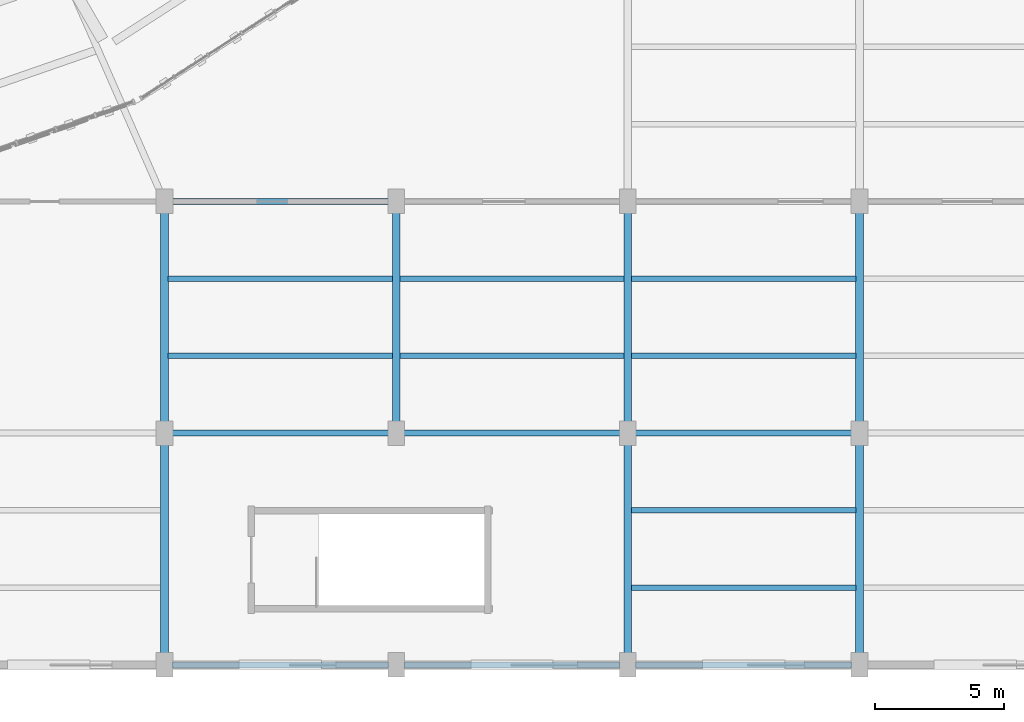
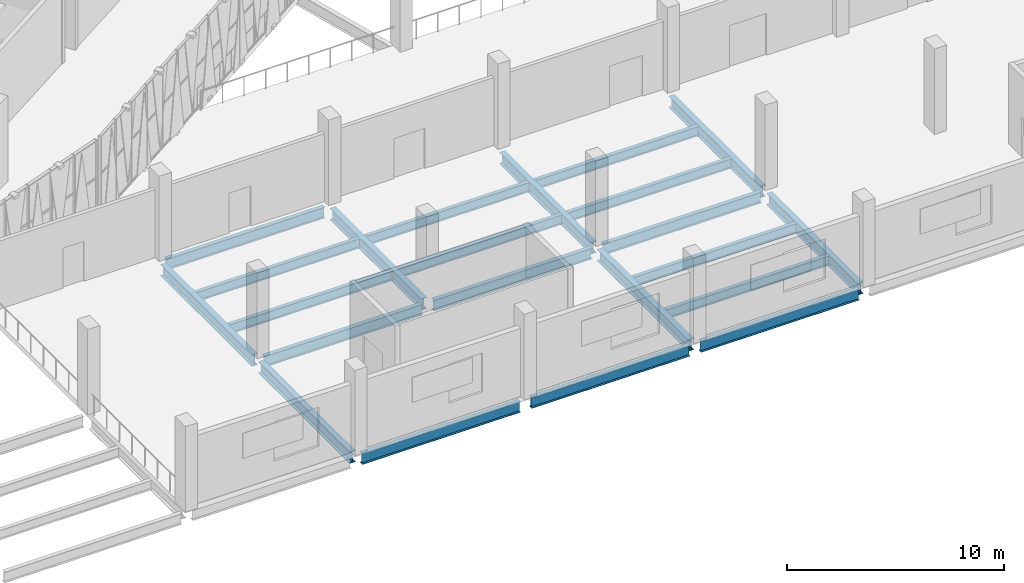
# One storey, part 27 of 152: 22 beams.
"""IFC4 building model written with IfcOpenShell, lengths in metres."""

from ifc_helpers import new_model, si_unit, direction, frame, origin, origin_2d, place, context, subcontext, project, spatial, i_section, extrude, material, material_profile, profile_set, type_object, element, save


model = new_model("IFC4")

# Units and contexts
model_context = context("Model", 3, precision=1e-05, world=origin(), true_north=direction((0.0, 1.0)))
body_context = subcontext(model_context, "Body", "Model", "MODEL_VIEW")
ifc_project = project(units=[si_unit("LENGTHUNIT", "METRE"), si_unit("AREAUNIT", "SQUARE_METRE"), si_unit("VOLUMEUNIT", "CUBIC_METRE"), si_unit("PLANEANGLEUNIT", "RADIAN"), si_unit("MASSUNIT", "GRAM", prefix="KILO")], contexts=[model_context])

# Site, building, storey
site_placement = place(None, origin())
site = spatial("IfcSite", under=ifc_project, at=site_placement, CompositionType="ELEMENT")
building_placement = place(site_placement, origin())
building = spatial("IfcBuilding", under=site, at=building_placement, Name="Zevraka Park Crest Stadium", CompositionType="ELEMENT")
storey_placement = place(building_placement, frame((0.0, 0.0, 15.0)))
storey = spatial("IfcBuildingStorey", under=building, at=storey_placement, Name="L03", CompositionType="ELEMENT", Elevation=15.0)

# Beams
ifc_material_1 = material(Name="Steel S355", Category="steel")
ifc_material_profile_1 = material_profile(ifc_material_1, i_section(OverallWidth=0.300048828125, OverallDepth=0.64990234375, WebThickness=0.01611328125, FlangeThickness=0.031005859375, at=origin_2d()), Name="HEB 650")
ifc_profile_set_1 = profile_set([ifc_material_profile_1], Name="Steel S355")
beam_type_1 = type_object("IfcBeamType", Name="BG07", PredefinedType="BEAM", material=ifc_profile_set_1)
for number, where, z_axis, x_axis, name in (
    (1, (161.0, 0.300048828125, -0.633056640625), (0.0, 1.0, 0.0), (-1.0, 0.0, 0.0), "Wing Girder BG07 L03-18/AB"),
    (2, (161.0, 9.300048828125, -0.633056640625), (0.0, 1.0, 0.0), (-1.0, 0.0, 0.0), "Wing Girder BG07 L03-18/BC"),
    (3, (170.0, 9.300048828125, -0.633056640625), (0.0, 1.0, 0.0), (-1.0, 0.0, 0.0), "Wing Girder BG07 L03-19/BC"),
    (4, (179.0, 0.300048828125, -0.633056640625), (0.0, 1.0, 0.0), (-1.0, 0.0, 0.0), "Wing Girder BG07 L03-20/AB"),
    (5, (179.0, 9.300048828125, -0.633056640625), (0.0, 1.0, 0.0), (-1.0, 0.0, 0.0), "Wing Girder BG07 L03-20/BC"),
    (6, (188.0, 0.300048828125, -0.633056640625), (0.0, 1.0, 0.0), (-1.0, 0.0, 0.0), "Wing Girder BG07 L03-21/AB"),
    (7, (188.0, 9.300048828125, -0.633056640625), (0.0, 1.0, 0.0), (-1.0, 0.0, 0.0), "Wing Girder BG07 L03-21/BC"),
):
    element("IfcBeam", number, at=place(storey_placement, frame(where, z_axis=z_axis, x_axis=x_axis)), inside=storey, type_object=beam_type_1, Name=name, PredefinedType="BEAM", context=body_context, shape_type="SweptSolid", body=[
        extrude(i_section(OverallWidth=0.300048828125, OverallDepth=0.64990234375, WebThickness=0.01611328125, FlangeThickness=0.031005859375, at=origin_2d()), origin(), (0.0, 0.0, 1.0), 8.39990234375),
    ])
ifc_material_2 = material(Name="Steel S355", Category="steel")
ifc_material_profile_2 = material_profile(ifc_material_2, i_section(OverallWidth=0.22900390625, OverallDepth=0.612060546875, WebThickness=0.011962890625, FlangeThickness=0.01953125, at=origin_2d()), Name="UKB 610x229x125")
ifc_profile_set_2 = profile_set([ifc_material_profile_2], Name="Steel S355")
beam_type_2 = type_object("IfcBeamType", Name="BG09", PredefinedType="BEAM", material=ifc_profile_set_2)
for number, where, z_axis, x_axis, name in (
    (8, (161.300048828125, 0.0, -0.614013671875), (1.0, 0.0, 0.0), (0.0, 1.0, 0.0), "Wing Girder BG09 L03-1819/A"),
    (9, (161.300048828125, 9.0, -0.614013671875), (1.0, 0.0, 0.0), (0.0, 1.0, 0.0), "Wing Girder BG09 L03-1819/B"),
    (10, (161.300048828125, 18.0, -0.614013671875), (1.0, 0.0, 0.0), (0.0, 1.0, 0.0), "Wing Girder BG09 L03-1819/C"),
    (11, (170.300048828125, 0.0, -0.614013671875), (1.0, 0.0, 0.0), (0.0, 1.0, 0.0), "Wing Girder BG09 L03-1920/A"),
    (12, (170.300048828125, 9.0, -0.614013671875), (1.0, 0.0, 0.0), (0.0, 1.0, 0.0), "Wing Girder BG09 L03-1920/B"),
    (13, (179.300048828125, 0.0, -0.614013671875), (1.0, 0.0, 0.0), (0.0, 1.0, 0.0), "Wing Girder BG09 L03-2021/A"),
    (14, (179.300048828125, 9.0, -0.614013671875), (1.0, 0.0, 0.0), (0.0, 1.0, 0.0), "Wing Girder BG09 L03-2021/B"),
):
    element("IfcBeam", number, at=place(storey_placement, frame(where, z_axis=z_axis, x_axis=x_axis)), inside=storey, type_object=beam_type_2, Name=name, PredefinedType="BEAM", context=body_context, shape_type="SweptSolid", body=[
        extrude(i_section(OverallWidth=0.22900390625, OverallDepth=0.612060546875, WebThickness=0.011962890625, FlangeThickness=0.01953125, at=origin_2d()), origin(), (0.0, 0.0, 1.0), 8.39990234375),
    ])
ifc_material_3 = material(Name="Steel S355", Category="steel")
ifc_material_profile_3 = material_profile(ifc_material_3, i_section(OverallWidth=0.209228515625, OverallDepth=0.533203125, WebThickness=0.010009765625, FlangeThickness=0.015625, at=origin_2d()), Name="UKB 533x210x92")
ifc_profile_set_3 = profile_set([ifc_material_profile_3], Name="Steel S355")
beam_type_3 = type_object("IfcBeamType", Name="SJ05", PredefinedType="JOIST", material=ifc_profile_set_3)
for number, where, z_axis, x_axis, name in (
    (15, (161.14501953125, 12.0, -0.57666015625), (1.0, 0.0, 0.0), (0.0, 1.0, 0.0), "Wing Joist SJ05 L03-18/B-1"),
    (16, (161.14501953125, 15.0, -0.57666015625), (1.0, 0.0, 0.0), (0.0, 1.0, 0.0), "Wing Joist SJ05 L03-18/B-2"),
    (17, (170.14501953125, 12.0, -0.57666015625), (1.0, 0.0, 0.0), (0.0, 1.0, 0.0), "Wing Joist SJ05 L03-19/B-1"),
    (18, (170.14501953125, 15.0, -0.57666015625), (1.0, 0.0, 0.0), (0.0, 1.0, 0.0), "Wing Joist SJ05 L03-19/B-2"),
    (19, (179.14501953125, 3.0, -0.57666015625), (1.0, 0.0, 0.0), (0.0, 1.0, 0.0), "Wing Joist SJ05 L03-20/A-1"),
    (20, (179.14501953125, 6.0, -0.57666015625), (1.0, 0.0, 0.0), (0.0, 1.0, 0.0), "Wing Joist SJ05 L03-20/A-2"),
    (21, (179.14501953125, 12.0, -0.57666015625), (1.0, 0.0, 0.0), (0.0, 1.0, 0.0), "Wing Joist SJ05 L03-20/B-1"),
    (22, (179.14501953125, 15.0, -0.57666015625), (1.0, 0.0, 0.0), (0.0, 1.0, 0.0), "Wing Joist SJ05 L03-20/B-2"),
):
    element("IfcBeam", number, at=place(storey_placement, frame(where, z_axis=z_axis, x_axis=x_axis)), inside=storey, type_object=beam_type_3, Name=name, PredefinedType="JOIST", context=body_context, shape_type="SweptSolid", body=[
        extrude(i_section(OverallWidth=0.209228515625, OverallDepth=0.533203125, WebThickness=0.010009765625, FlangeThickness=0.015625, at=origin_2d()), origin(), (0.0, 0.0, 1.0), 8.7099609375),
    ])

save(model, "model.ifc")
